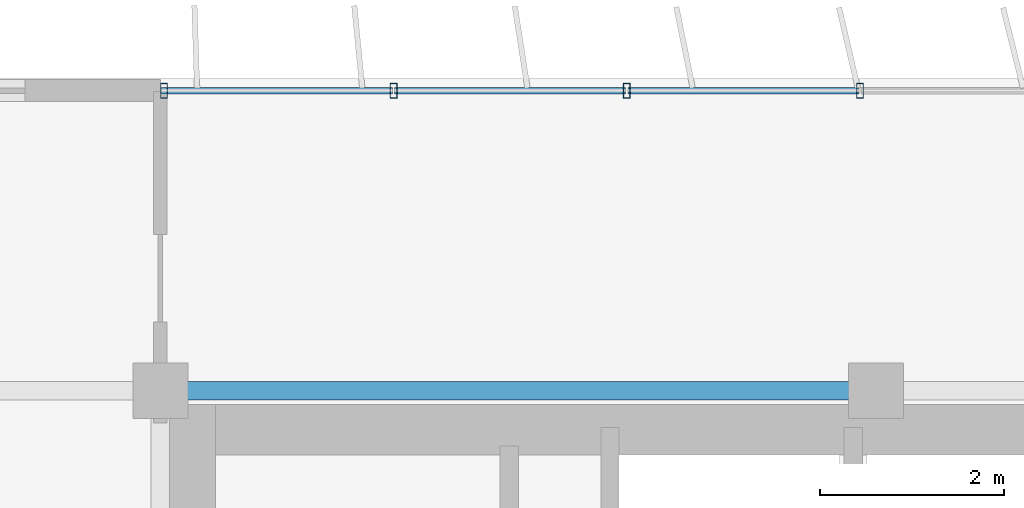
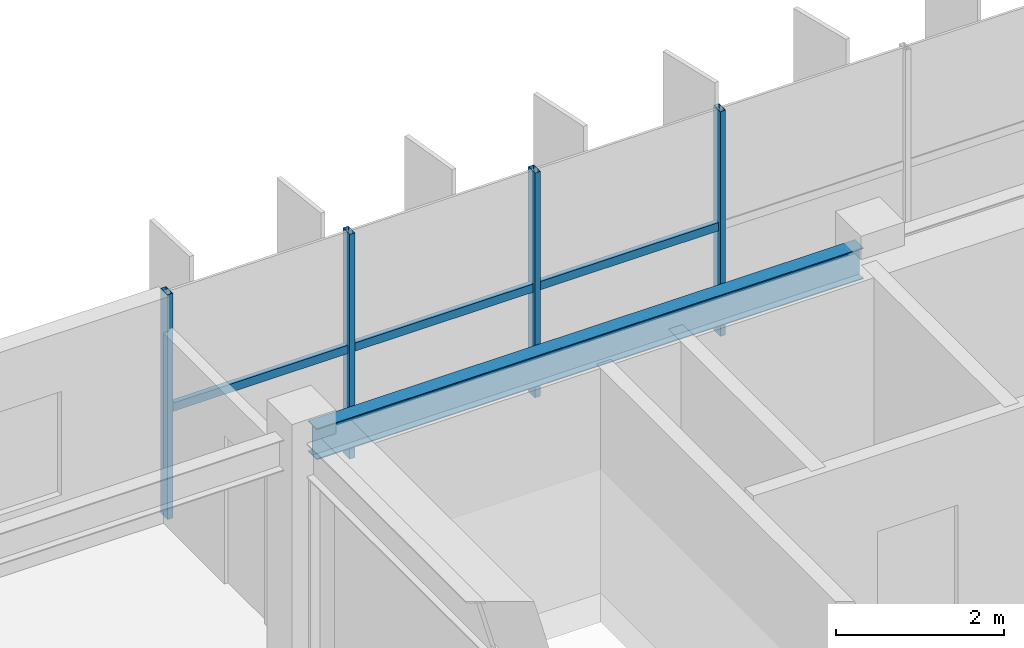
# One storey, part 10 of 28: 7 members, 1 beam, 1 element without a shape of its own.
"""IFC4 building model written with IfcOpenShell, lengths in metres."""

import ifcopenshell
import ifcopenshell.guid

model = None  # the IFC model being written
_history = None  # IfcOwnerHistory: only IFC2X3 demands one
_inside = {}  # id of a spatial element -> (the spatial element, [elements in it])
_under = {}  # id of a project, library or spatial element -> (it, [spatial elements below it])
_declared = {}  # id of a project -> (the project, [libraries it declares])
_typed = {}  # id of a type object -> (the type object, [elements of that type])
_made_of = {}  # id of a material, layer set ... -> (it, [elements and type objects made of it])


def new_model(schema):
    """Start an empty IFC model of exactly this schema.

    Asked for "IFC4X3", IfcOpenShell would pick the latest addendum, in which some entities
    have other attributes; the version numbers below select the first issue.
    IFC2X3 requires an IfcOwnerHistory on every rooted entity: one is made here for all.
    """
    global model, _history
    if schema == "IFC4X3":
        model = ifcopenshell.file(schema_version=(4, 3, 0, 0))
    else:
        model = ifcopenshell.file(schema=schema)
    _inside.clear()
    _under.clear()
    _declared.clear()
    _typed.clear()
    _made_of.clear()
    _history = None
    if model.schema == "IFC2X3":
        org = make("IfcOrganization", Name="unknown")
        user = make(
            "IfcPersonAndOrganization",
            ThePerson=make("IfcPerson", FamilyName="unknown"),
            TheOrganization=org,
        )
        app = make(
            "IfcApplication",
            ApplicationDeveloper=org,
            Version="unknown",
            ApplicationFullName="unknown",
            ApplicationIdentifier="unknown",
        )
        _history = make(
            "IfcOwnerHistory",
            OwningUser=user,
            OwningApplication=app,
            ChangeAction="ADDED",
            CreationDate=0,
        )
    return model


def make(cls, **values):
    """One entity of the class cls with the attributes given. An attribute that is None is left unset."""
    return model.create_entity(
        cls, **{name: value for name, value in values.items() if value is not None}
    )


def rooted(cls, **values):
    """An entity with a GlobalId (a new one), such as an element, a storey or a relation."""
    return make(cls, GlobalId=ifcopenshell.guid.new(), OwnerHistory=_history, **values)


def si_unit(unit_type, name, prefix=None):
    """IfcSIUnit, for example si_unit("LENGTHUNIT", "METRE", prefix="MILLI")."""
    return make("IfcSIUnit", UnitType=unit_type, Prefix=prefix, Name=name)


def assignment(units):
    """IfcUnitAssignment: the units of a project."""
    return None if units is None else make("IfcUnitAssignment", Units=units)


def point(xyz):
    """IfcCartesianPoint."""
    return None if xyz is None else make("IfcCartesianPoint", Coordinates=xyz)


def direction(xyz):
    """IfcDirection."""
    return None if xyz is None else make("IfcDirection", DirectionRatios=xyz)


def frame(location, z_axis=None, x_axis=None):
    """IfcAxis2Placement3D, a coordinate frame: its origin and axes. An axis left out is left unset."""
    return make(
        "IfcAxis2Placement3D",
        Location=point(location),
        Axis=direction(z_axis),
        RefDirection=direction(x_axis),
    )


def frame_2d(location, x_axis=None):
    """IfcAxis2Placement2D, a coordinate frame in the plane: its origin and x axis."""
    return make(
        "IfcAxis2Placement2D", Location=point(location), RefDirection=direction(x_axis)
    )


def origin():
    """The frame at (0, 0, 0) with its axes left unset."""
    return frame((0.0, 0.0, 0.0))


def origin_2d():
    """The frame at (0, 0) in the plane with its x axis left unset."""
    return frame_2d((0.0, 0.0))


def place(relative_to, where):
    """IfcLocalPlacement: puts the frame where relative to a parent placement (None: the world)."""
    return make(
        "IfcLocalPlacement", PlacementRelTo=relative_to, RelativePlacement=where
    )


def context(
    kind, dimensions, precision=None, world=None, true_north=None, identifier=None
):
    """IfcGeometricRepresentationContext, for example the 3D "Model" context."""
    return make(
        "IfcGeometricRepresentationContext",
        ContextIdentifier=identifier,
        ContextType=kind,
        CoordinateSpaceDimension=dimensions,
        Precision=precision,
        WorldCoordinateSystem=world,
        TrueNorth=true_north,
    )


def subcontext(parent, identifier, kind, view, scale=None):
    """IfcGeometricRepresentationSubContext, for example "Body" below "Model"."""
    return make(
        "IfcGeometricRepresentationSubContext",
        ContextIdentifier=identifier,
        ContextType=kind,
        ParentContext=parent,
        TargetScale=scale,
        TargetView=view,
    )


def project(units=None, contexts=None):
    """IfcProject with its units and contexts."""
    return rooted(
        "IfcProject",
        Name="project",
        RepresentationContexts=contexts,
        UnitsInContext=assignment(units),
    )


def spatial(cls, under=None, at=None, **own):
    """A site, building, storey or space (cls), placed at a placement, below another one or the project."""
    s = rooted(cls, ObjectPlacement=at, **own)
    if under is not None:
        _under.setdefault(under.id(), (under, []))[1].append(s)
    return s


def profile(cls, at=None, kind="AREA", **sizes):
    """A parametric profile (cls). Its sizes go by their IFC names, for example OverallWidth=200.0."""
    return make(cls, ProfileType=kind, Position=at, **sizes)


def hollow_rectangle(**sizes):
    """IfcRectangleHollowProfileDef."""
    return profile("IfcRectangleHollowProfileDef", **sizes)


def i_section(**sizes):
    """IfcIShapeProfileDef."""
    return profile("IfcIShapeProfileDef", **sizes)


def extrude(swept, where, along, depth):
    """IfcExtrudedAreaSolid: the profile swept, set in the frame where, extruded along a direction by depth."""
    return make(
        "IfcExtrudedAreaSolid",
        SweptArea=swept,
        Position=where,
        ExtrudedDirection=direction(along),
        Depth=depth,
    )


def shape(context_of_items, identifier, shape_type, items):
    """IfcShapeRepresentation: the items that make up one representation, for example the "Body"."""
    return make(
        "IfcShapeRepresentation",
        ContextOfItems=context_of_items,
        RepresentationIdentifier=identifier,
        RepresentationType=shape_type,
        Items=items,
    )


def source(mapping_origin, context_of_items, identifier, shape_type, items):
    """IfcRepresentationMap: a shape defined once, which mapped items show again and again."""
    return make(
        "IfcRepresentationMap",
        MappingOrigin=mapping_origin,
        MappedRepresentation=shape(context_of_items, identifier, shape_type, items),
    )


def transform(
    local_origin,
    x_axis=None,
    y_axis=None,
    z_axis=None,
    scale=None,
    scale2=None,
    scale3=None,
    uniform=True,
):
    """IfcCartesianTransformationOperator3D, or its non-uniform kind. x_axis, y_axis, z_axis: its Axis1, 2, 3."""
    if uniform:
        return make(
            "IfcCartesianTransformationOperator3D",
            Axis1=direction(x_axis),
            Axis2=direction(y_axis),
            LocalOrigin=point(local_origin),
            Scale=scale,
            Axis3=direction(z_axis),
        )
    return make(
        "IfcCartesianTransformationOperator3DnonUniform",
        Axis1=direction(x_axis),
        Axis2=direction(y_axis),
        LocalOrigin=point(local_origin),
        Scale=scale,
        Axis3=direction(z_axis),
        Scale2=scale2,
        Scale3=scale3,
    )


def mapped(mapping_source, mapping_target):
    """IfcMappedItem: shows the shape of a source again, moved by a transform."""
    return make(
        "IfcMappedItem", MappingSource=mapping_source, MappingTarget=mapping_target
    )


def material(Name=None, Category=None):
    """IfcMaterial."""
    return make("IfcMaterial", Name=Name, Category=Category)


def material_profile(
    of_material, cross_section, Name=None, Category=None, Priority=None
):
    """IfcMaterialProfile: a cross section and its material."""
    return make(
        "IfcMaterialProfile",
        Name=Name,
        Material=of_material,
        Profile=cross_section,
        Priority=Priority,
        Category=Category,
    )


def profile_set(profiles, Name=None, composite=None):
    """IfcMaterialProfileSet."""
    return make(
        "IfcMaterialProfileSet",
        Name=Name,
        MaterialProfiles=profiles,
        CompositeProfile=composite,
    )


def made_of(thing, what):
    """Note that an element or type object is made of a material, layer set ...; save() writes the relation."""
    if what is not None:
        _made_of.setdefault(what.id(), (what, []))[1].append(thing)
    return thing


def type_object(cls, material=None, **own):
    """A type object (cls), such as IfcWallType, which elements share."""
    return made_of(rooted(cls, **own), material)


def element(
    cls,
    number,
    at=None,
    inside=None,
    cuts=None,
    type_object=None,
    material=None,
    context=None,
    identifier="Body",
    shape_type=None,
    held_by="IfcProductDefinitionShape",
    body=None,
    shapes=None,
    **own,
):
    """One element of the class cls, such as IfcWall. Its Tag is "e" and its number.

    at: its placement. inside: the storey or other place that contains it. cuts: it is an
    opening in that element (IfcRelVoidsElement). A single representation is given by context,
    identifier, shape_type and body (its items); several are given by shapes. held_by: the class
    of the entity that holds the representations. save() writes the other relations.
    """
    e = rooted(cls, Tag="e%d" % number, ObjectPlacement=at, **own)
    if body is not None:
        shapes = [shape(context, identifier, shape_type, body)]
    if shapes is not None:
        e.Representation = make(held_by, Representations=shapes)
    if inside is not None:
        _inside.setdefault(inside.id(), (inside, []))[1].append(e)
    if cuts is not None:
        rooted(
            "IfcRelVoidsElement", RelatingBuildingElement=cuts, RelatedOpeningElement=e
        )
    if type_object is not None:
        _typed.setdefault(type_object.id(), (type_object, []))[1].append(e)
    return made_of(e, material)


def aggregate(whole, parts):
    """IfcRelAggregates: a whole, such as a stair, and the parts it consists of."""
    return rooted("IfcRelAggregates", RelatingObject=whole, RelatedObjects=parts)


def save(model, path):
    """Write the relations noted so far, then the file.

    IfcRelAggregates (storeys below a building ...), IfcRelContainedInSpatialStructure (elements
    in a storey), IfcRelDefinesByType, IfcRelAssociatesMaterial and IfcRelDeclares: one each for
    every whole, place, type object, material and project.
    """
    for whole, parts in _under.values():
        aggregate(whole, parts)
    for where, things in _inside.values():
        rooted(
            "IfcRelContainedInSpatialStructure",
            RelatedElements=things,
            RelatingStructure=where,
        )
    for kind, things in _typed.values():
        rooted("IfcRelDefinesByType", RelatedObjects=things, RelatingType=kind)
    for what, things in _made_of.values():
        rooted("IfcRelAssociatesMaterial", RelatedObjects=things, RelatingMaterial=what)
    for by, libraries in _declared.values():
        rooted("IfcRelDeclares", RelatingContext=by, RelatedDefinitions=libraries)
    model.write(path)


model = new_model("IFC4")

# Units and contexts
model_context = context("Model", 3, precision=1e-05, world=origin(), true_north=direction((0.0, 1.0)))
body_context = subcontext(model_context, "Body", "Model", "MODEL_VIEW")
ifc_project = project(units=[si_unit("LENGTHUNIT", "METRE"), si_unit("AREAUNIT", "SQUARE_METRE"), si_unit("VOLUMEUNIT", "CUBIC_METRE"), si_unit("PLANEANGLEUNIT", "RADIAN"), si_unit("MASSUNIT", "GRAM", prefix="KILO")], contexts=[model_context])

# Site, building, storey
site_placement = place(None, origin())
site = spatial("IfcSite", under=ifc_project, at=site_placement, CompositionType="ELEMENT")
building_placement = place(site_placement, origin())
building = spatial("IfcBuilding", under=site, at=building_placement, Name="Trelvane Seafront Commons", CompositionType="ELEMENT")
storey_placement = place(building_placement, frame((0.0, 0.0, 295.5)))
storey = spatial("IfcBuildingStorey", under=building, at=storey_placement, Name="L77", CompositionType="ELEMENT", Elevation=295.5)

# Beam
ifc_material_1 = material(Name="Steel SM355 (S355)", Category="steel")
ifc_material_profile_1 = material_profile(ifc_material_1, i_section(OverallWidth=0.199951171875, OverallDepth=0.449951171875, WebThickness=0.009033203125, FlangeThickness=0.013916015625, at=origin_2d()), Name="H-450x200x9x14")
ifc_profile_set_1 = profile_set([ifc_material_profile_1], Name="Steel SM355 (S355)")
beam_type = type_object("IfcBeamType", Name="STR-SPD-H450", PredefinedType="SPANDREL", material=ifc_profile_set_1)
shared_shape_1 = source(origin(), body_context, "Body", "SweptSolid", [
    extrude(i_section(OverallWidth=0.199951171875, OverallDepth=0.449951171875, WebThickness=0.009033203125, FlangeThickness=0.013916015625, at=origin_2d()), origin(), (0.0, 0.0, 1.0), 7.5),
])
beam_placement = place(storey_placement, frame((15.75, 45.10009765625, 3.034912109375), z_axis=(1.0, 0.0, 0.0), x_axis=(0.0, 1.0, 0.0)))
element("IfcBeam", 1, at=beam_placement, inside=storey, type_object=beam_type, Name="L77 Primary Girder G-23", PredefinedType="SPANDREL", context=body_context, shape_type="MappedRepresentation", body=[
    mapped(shared_shape_1, transform((0.0, 0.0, 0.0), x_axis=(1.0, 0.0, 0.0), y_axis=(0.0, 1.0, 0.0), z_axis=(0.0, 0.0, 1.0), scale=1.0)),
])

# Curtain wall, members
ifc_material_2 = material(Name="Anodised pale-silver aluminium", Category="aluminium")
curtain_wall_type = type_object("IfcCurtainWallType", Name="ARCH-CW5-UPTOWER", PredefinedType="NOTDEFINED", material=ifc_material_2)
curtain_wall_placement = place(storey_placement, origin())
curtain_wall = element("IfcCurtainWall", 2, at=curtain_wall_placement, inside=storey, type_object=curtain_wall_type, Name="CW-L77-0122", PredefinedType="NOTDEFINED")
ifc_material_profile_2 = material_profile(ifc_material_2, hollow_rectangle(XDim=0.070068359375, YDim=0.1201171875, WallThickness=0.00390625, at=origin_2d()), Name="TRAN-70x120x4")
ifc_profile_set_2 = profile_set([ifc_material_profile_2], Name="Anodised pale-silver aluminium")
member_type_1 = type_object("IfcMemberType", Name="ARCH-CW-TRAN-120", PredefinedType="USERDEFINED", material=ifc_profile_set_2)
shared_shape_2 = source(origin(), body_context, "Body", "SweptSolid", [
    extrude(hollow_rectangle(XDim=0.070068359375, YDim=0.1201171875, WallThickness=0.00390625, at=origin_2d()), origin(), (0.0, 0.0, 1.0), 2.51708984375),
])
member_1_placement = place(storey_placement, frame((15.612060546875, 48.3701171875, 1.56494140625), z_axis=(1.0, 0.0, 0.0), x_axis=(0.0, 1.0, 0.0)))
member_1 = element("IfcMember", 3, at=member_1_placement, type_object=member_type_1, Name="CW-L77-0122-T00", ObjectType="TRANSOM", PredefinedType="USERDEFINED", context=body_context, shape_type="MappedRepresentation", body=[
    mapped(shared_shape_2, transform((0.0, 0.0, 0.0), x_axis=(1.0, 0.0, 0.0), y_axis=(0.0, 1.0, 0.0), z_axis=(0.0, 0.0, 1.0), scale=1.0)),
])
member_2_placement = place(storey_placement, frame((18.1533203125, 48.3701171875, 1.56494140625), z_axis=(1.0, 0.0, 0.0), x_axis=(0.0, 1.0, 0.0)))
member_2 = element("IfcMember", 4, at=member_2_placement, type_object=member_type_1, Name="CW-L77-0122-T01", ObjectType="TRANSOM", PredefinedType="USERDEFINED", context=body_context, shape_type="MappedRepresentation", body=[
    mapped(shared_shape_2, transform((0.0, 0.0, 0.0), x_axis=(1.0, 0.0, 0.0), y_axis=(0.0, 1.0, 0.0), z_axis=(0.0, 0.0, 1.0), scale=1.0)),
])
member_3_placement = place(storey_placement, frame((20.6943359375, 48.3701171875, 1.56494140625), z_axis=(1.0, 0.0, 0.0), x_axis=(0.0, 1.0, 0.0)))
member_3 = element("IfcMember", 5, at=member_3_placement, type_object=member_type_1, Name="CW-L77-0122-T02", ObjectType="TRANSOM", PredefinedType="USERDEFINED", context=body_context, shape_type="MappedRepresentation", body=[
    mapped(shared_shape_2, transform((0.0, 0.0, 0.0), x_axis=(1.0, 0.0, 0.0), y_axis=(0.0, 1.0, 0.0), z_axis=(0.0, 0.0, 1.0), scale=1.0)),
])
ifc_material_profile_3 = material_profile(ifc_material_2, hollow_rectangle(XDim=0.074951171875, YDim=0.159912109375, WallThickness=0.00390625, at=origin_2d()), Name="MULL-75x160x4")
ifc_profile_set_3 = profile_set([ifc_material_profile_3], Name="Anodised pale-silver aluminium")
member_type_2 = type_object("IfcMemberType", Name="ARCH-CW-MULL-160", PredefinedType="MULLION", material=ifc_profile_set_3)
shared_shape_3 = source(origin(), body_context, "Body", "SweptSolid", [
    extrude(hollow_rectangle(XDim=0.074951171875, YDim=0.159912109375, WallThickness=0.00390625, at=origin_2d()), origin(), (0.0, 0.0, 1.0), 3.260009765625),
])
member_4_placement = place(storey_placement, frame((15.639892578125, 48.3701171875, 0.0), z_axis=(0.0, 0.0, 1.0), x_axis=(1.0, 0.0, 0.0)))
member_4 = element("IfcMember", 6, at=member_4_placement, type_object=member_type_2, Name="CW-L77-0122-M00", PredefinedType="MULLION", context=body_context, shape_type="MappedRepresentation", body=[
    mapped(shared_shape_3, transform((0.0, 0.0, 0.0), x_axis=(1.0, 0.0, 0.0), y_axis=(0.0, 1.0, 0.0), z_axis=(0.0, 0.0, 1.0), scale=1.0)),
])
member_5_placement = place(storey_placement, frame((18.14111328125, 48.3701171875, 0.0), z_axis=(0.0, 0.0, 1.0), x_axis=(1.0, 0.0, 0.0)))
member_5 = element("IfcMember", 7, at=member_5_placement, type_object=member_type_2, Name="CW-L77-0122-M01", PredefinedType="MULLION", context=body_context, shape_type="MappedRepresentation", body=[
    mapped(shared_shape_3, transform((0.0, 0.0, 0.0), x_axis=(1.0, 0.0, 0.0), y_axis=(0.0, 1.0, 0.0), z_axis=(0.0, 0.0, 1.0), scale=1.0)),
])
member_6_placement = place(storey_placement, frame((20.682373046875, 48.3701171875, 0.0), z_axis=(0.0, 0.0, 1.0), x_axis=(1.0, 0.0, 0.0)))
member_6 = element("IfcMember", 8, at=member_6_placement, type_object=member_type_2, Name="CW-L77-0122-M02", PredefinedType="MULLION", context=body_context, shape_type="MappedRepresentation", body=[
    mapped(shared_shape_3, transform((0.0, 0.0, 0.0), x_axis=(1.0, 0.0, 0.0), y_axis=(0.0, 1.0, 0.0), z_axis=(0.0, 0.0, 1.0), scale=1.0)),
])
member_7_placement = place(storey_placement, frame((23.223388671875, 48.3701171875, 0.0), z_axis=(0.0, 0.0, 1.0), x_axis=(1.0, 0.0, 0.0)))
member_7 = element("IfcMember", 9, at=member_7_placement, type_object=member_type_2, Name="CW-L77-0122-M03", PredefinedType="MULLION", context=body_context, shape_type="MappedRepresentation", body=[
    mapped(shared_shape_3, transform((0.0, 0.0, 0.0), x_axis=(1.0, 0.0, 0.0), y_axis=(0.0, 1.0, 0.0), z_axis=(0.0, 0.0, 1.0), scale=1.0)),
])
aggregate(curtain_wall, [member_4, member_5, member_6, member_7, member_1, member_2, member_3])

save(model, "model.ifc")
